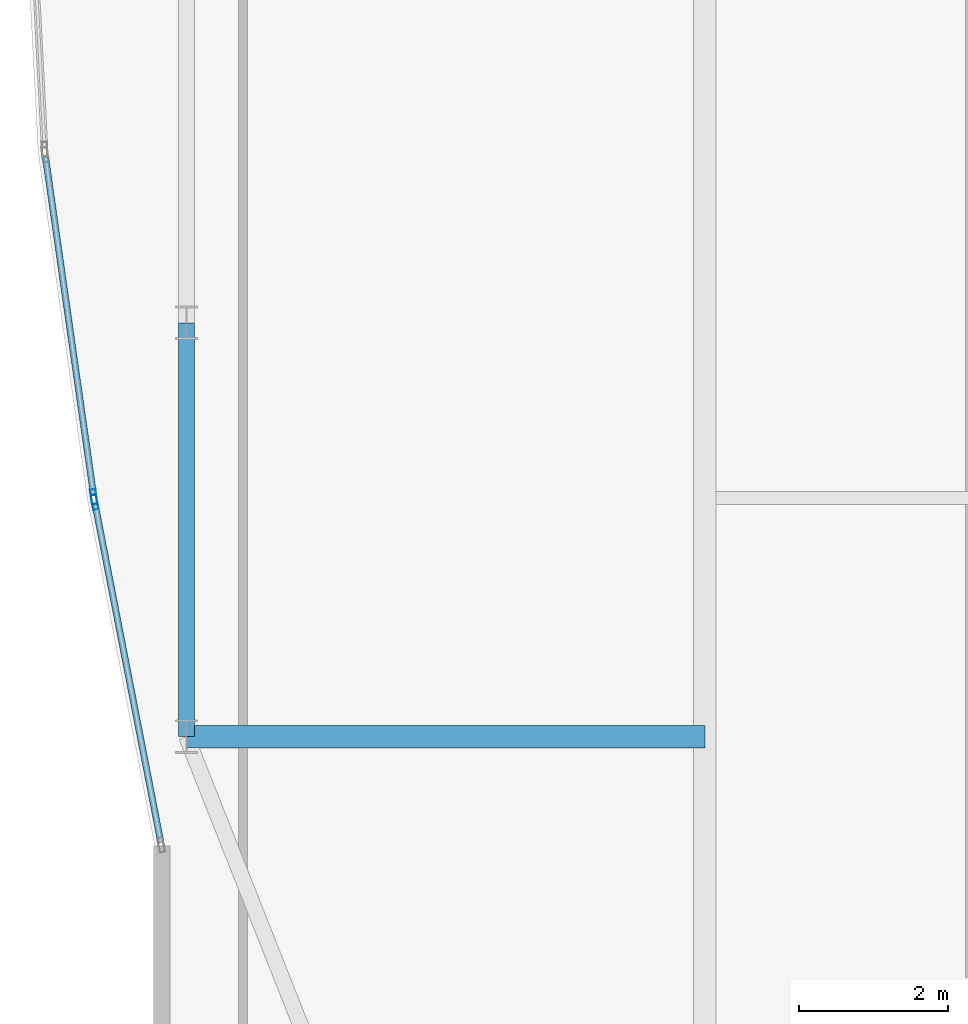
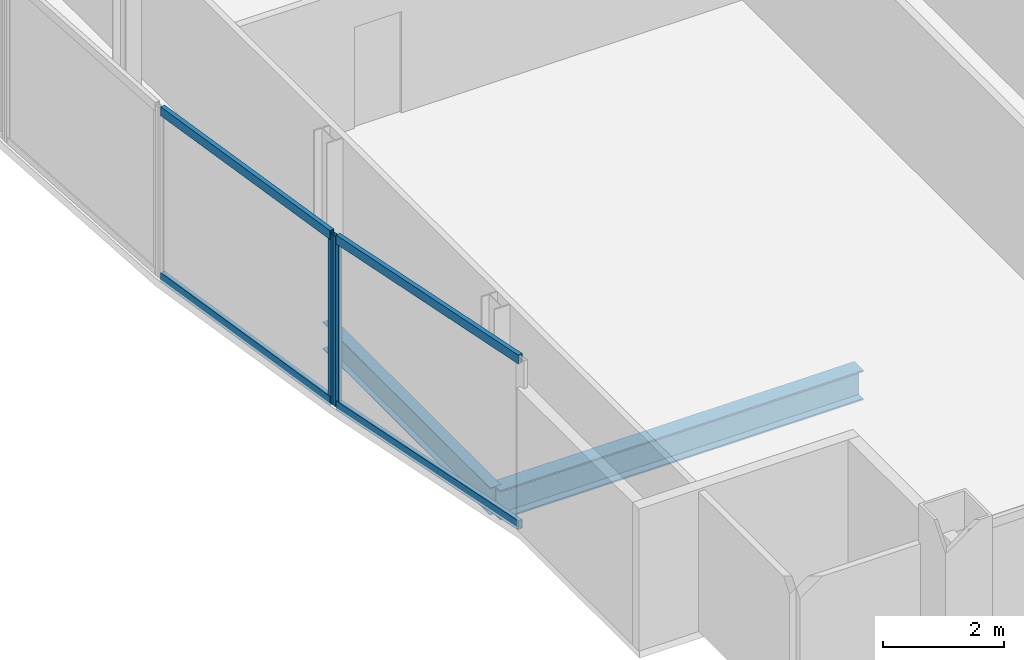
# One storey, part 5 of 27: 6 members, 2 beams, 2 elements without a shape of their own.
"""IFC4 building model written with IfcOpenShell, lengths in metres."""

from ifc_helpers import new_model, si_unit, direction, frame, origin, origin_2d, place, context, subcontext, project, spatial, hollow_rectangle, i_section, extrude, material, material_profile, profile_set, type_object, element, aggregate, save


model = new_model("IFC4")

# Units and contexts
model_context = context("Model", 3, precision=1e-05, world=origin(), true_north=direction((0.0, 1.0)))
body_context = subcontext(model_context, "Body", "Model", "MODEL_VIEW")
ifc_project = project(units=[si_unit("LENGTHUNIT", "METRE"), si_unit("AREAUNIT", "SQUARE_METRE"), si_unit("VOLUMEUNIT", "CUBIC_METRE"), si_unit("PLANEANGLEUNIT", "RADIAN"), si_unit("MASSUNIT", "GRAM", prefix="KILO")], contexts=[model_context])

# Site, building, storey
site_placement = place(None, origin())
site = spatial("IfcSite", under=ifc_project, at=site_placement, CompositionType="ELEMENT")
building_placement = place(site_placement, origin())
building = spatial("IfcBuilding", under=site, at=building_placement, Name="Khoronbel Lancet Exchange", CompositionType="ELEMENT")
storey_placement = place(building_placement, frame((0.0, 0.0, 332.60009765625)))
storey = spatial("IfcBuildingStorey", under=building, at=storey_placement, Name="L86", CompositionType="ELEMENT", Elevation=332.60009765625)

# Beams
ifc_material_1 = material(Name="Steel S355", Category="steel")
ifc_material_profile_1 = material_profile(ifc_material_1, i_section(OverallWidth=0.300048828125, OverallDepth=0.60009765625, WebThickness=0.015380859375, FlangeThickness=0.030029296875, at=origin_2d()), Name="HEB 600")
ifc_profile_set_1 = profile_set([ifc_material_profile_1], Name="Steel S355")
beam_type_1 = type_object("IfcBeamType", Name="BM-BG5", PredefinedType="BEAM", material=ifc_profile_set_1)
beam_1_placement = place(storey_placement, frame((11.27001953125, 19.199951171875, -0.460205078125), z_axis=(1.0, 0.0, 0.0), x_axis=(0.0, 1.0, 0.0)))
element("IfcBeam", 1, at=beam_1_placement, inside=storey, type_object=beam_type_1, Name="Level L86 west lens tie girder LG1W", PredefinedType="BEAM", context=body_context, shape_type="SweptSolid", body=[
    extrude(i_section(OverallWidth=0.300048828125, OverallDepth=0.60009765625, WebThickness=0.015380859375, FlangeThickness=0.030029296875, at=origin_2d()), origin(), (0.0, 0.0, 1.0), 6.955078125),
])
ifc_material_profile_2 = material_profile(ifc_material_1, i_section(OverallWidth=0.2099609375, OverallDepth=0.550048828125, WebThickness=0.010986328125, FlangeThickness=0.01708984375, at=origin_2d()), Name="IPE 550")
ifc_profile_set_2 = profile_set([ifc_material_profile_2], Name="Steel S355")
beam_type_2 = type_object("IfcBeamType", Name="BM-BSP3", PredefinedType="SPANDREL", material=ifc_profile_set_2)
beam_2_placement = place(storey_placement, frame((11.27001953125, 24.75, -0.43505859375), z_axis=(0.0, -1.0, 0.0), x_axis=(1.0, 0.0, 0.0)))
element("IfcBeam", 2, at=beam_2_placement, inside=storey, type_object=beam_type_2, Name="Level L86 perimeter spandrel beam SP18", PredefinedType="SPANDREL", context=body_context, shape_type="SweptSolid", body=[
    extrude(i_section(OverallWidth=0.2099609375, OverallDepth=0.550048828125, WebThickness=0.010986328125, FlangeThickness=0.01708984375, at=origin_2d()), origin(), (0.0, 0.0, 1.0), 5.550048828125),
])

# Curtain wall, member
ifc_material_2 = material(Name="Low-E Solar Control Insulating Glass", Category="glass")
curtain_wall_type = type_object("IfcCurtainWallType", Name="CW-4", PredefinedType="NOTDEFINED", material=ifc_material_2)
curtain_wall_1_placement = place(storey_placement, origin())
curtain_wall_1 = element("IfcCurtainWall", 3, at=curtain_wall_1_placement, inside=storey, type_object=curtain_wall_type, Name="Unitised curtain wall CW-L86-E04", PredefinedType="NOTDEFINED")
ifc_material_3 = material(Name="Bronze-Anodised Aluminium 6063-T6", Category="aluminium")
ifc_material_profile_3 = material_profile(ifc_material_3, hollow_rectangle(XDim=0.074951171875, YDim=0.199951171875, WallThickness=0.0048828125, at=origin_2d()), Name="ALU MULLION 75x200")
ifc_profile_set_3 = profile_set([ifc_material_profile_3], Name="Bronze-Anodised Aluminium 6063-T6")
member_type_1 = type_object("IfcMemberType", Name="MEM-CWM2", PredefinedType="MULLION", material=ifc_profile_set_3)
member_1_placement = place(storey_placement, frame((10.039306640625, 22.3447265625, 0.0), z_axis=(0.0, 0.0, 1.0), x_axis=(-0.981647628416, -0.190703785032, 0.0)))
member_1 = element("IfcMember", 4, at=member_1_placement, type_object=member_type_1, Name="CW4 mullion 2", PredefinedType="MULLION", context=body_context, shape_type="SweptSolid", body=[
    extrude(hollow_rectangle(XDim=0.074951171875, YDim=0.199951171875, WallThickness=0.0048828125, at=origin_2d()), origin(), (0.0, 0.0, 1.0), 3.43994140625),
])

curtain_wall_2_placement = place(storey_placement, origin())
curtain_wall_2 = element("IfcCurtainWall", 5, at=curtain_wall_2_placement, inside=storey, type_object=curtain_wall_type, Name="Unitised curtain wall CW-L86-E05", PredefinedType="NOTDEFINED")
member_2_placement = place(storey_placement, frame((10.02685546875, 22.418701171875, 0.0), z_axis=(0.0, 0.0, 1.0), x_axis=(-0.990037673837, -0.140802714401, 0.0)))
member_2 = element("IfcMember", 6, at=member_2_placement, type_object=member_type_1, Name="CW4 mullion 1", PredefinedType="MULLION", context=body_context, shape_type="SweptSolid", body=[
    extrude(hollow_rectangle(XDim=0.074951171875, YDim=0.199951171875, WallThickness=0.0048828125, at=origin_2d()), origin(), (0.0, 0.0, 1.0), 3.43994140625),
])

# Member
ifc_material_profile_4 = material_profile(ifc_material_3, hollow_rectangle(XDim=0.0849609375, YDim=0.179931640625, WallThickness=0.0048828125, at=origin_2d()), Name="ALU TRANSOM 85x180")
ifc_profile_set_4 = profile_set([ifc_material_profile_4], Name="Bronze-Anodised Aluminium 6063-T6")
member_type_2 = type_object("IfcMemberType", Name="MEM-CWT1", PredefinedType="USERDEFINED", material=ifc_profile_set_4)
member_3_placement = place(storey_placement, frame((10.92578125, 17.7822265625, 0.04248046875), z_axis=(-0.190746343711, 0.981639359623, 0.0), x_axis=(-0.981639359623, -0.190746343711, 0.0)))
member_3 = element("IfcMember", 7, at=member_3_placement, type_object=member_type_2, Name="CW4 transom 1.1", ObjectType="TRANSOM", PredefinedType="USERDEFINED", context=body_context, shape_type="SweptSolid", body=[
    extrude(hollow_rectangle(XDim=0.0849609375, YDim=0.179931640625, WallThickness=0.0048828125, at=origin_2d()), origin(), (0.0, 0.0, 1.0), 4.6103515625),
])

member_4_placement = place(storey_placement, frame((10.92578125, 17.7822265625, 3.3974609375), z_axis=(-0.190746343711, 0.981639359623, 0.0), x_axis=(-0.981639359623, -0.190746343711, 0.0)))
member_4 = element("IfcMember", 8, at=member_4_placement, type_object=member_type_2, Name="CW4 transom 1.2", ObjectType="TRANSOM", PredefinedType="USERDEFINED", context=body_context, shape_type="SweptSolid", body=[
    extrude(hollow_rectangle(XDim=0.0849609375, YDim=0.179931640625, WallThickness=0.0048828125, at=origin_2d()), origin(), (0.0, 0.0, 1.0), 4.6103515625),
])

aggregate(curtain_wall_1, [member_1, member_3, member_4])

member_5_placement = place(storey_placement, frame((10.021728515625, 22.455810546875, 0.04248046875), z_axis=(-0.140836343765, 0.990032890502, 0.0), x_axis=(-0.990032890502, -0.140836343765, 0.0)))
member_5 = element("IfcMember", 9, at=member_5_placement, type_object=member_type_2, Name="CW4 transom 1.1", ObjectType="TRANSOM", PredefinedType="USERDEFINED", context=body_context, shape_type="SweptSolid", body=[
    extrude(hollow_rectangle(XDim=0.0849609375, YDim=0.179931640625, WallThickness=0.0048828125, at=origin_2d()), origin(), (0.0, 0.0, 1.0), 4.557373046875),
])

member_6_placement = place(storey_placement, frame((10.021728515625, 22.455810546875, 3.3974609375), z_axis=(-0.140836343765, 0.990032890502, 0.0), x_axis=(-0.990032890502, -0.140836343765, 0.0)))
member_6 = element("IfcMember", 10, at=member_6_placement, type_object=member_type_2, Name="CW4 transom 1.2", ObjectType="TRANSOM", PredefinedType="USERDEFINED", context=body_context, shape_type="SweptSolid", body=[
    extrude(hollow_rectangle(XDim=0.0849609375, YDim=0.179931640625, WallThickness=0.0048828125, at=origin_2d()), origin(), (0.0, 0.0, 1.0), 4.557373046875),
])

aggregate(curtain_wall_2, [member_2, member_5, member_6])

save(model, "model.ifc")
